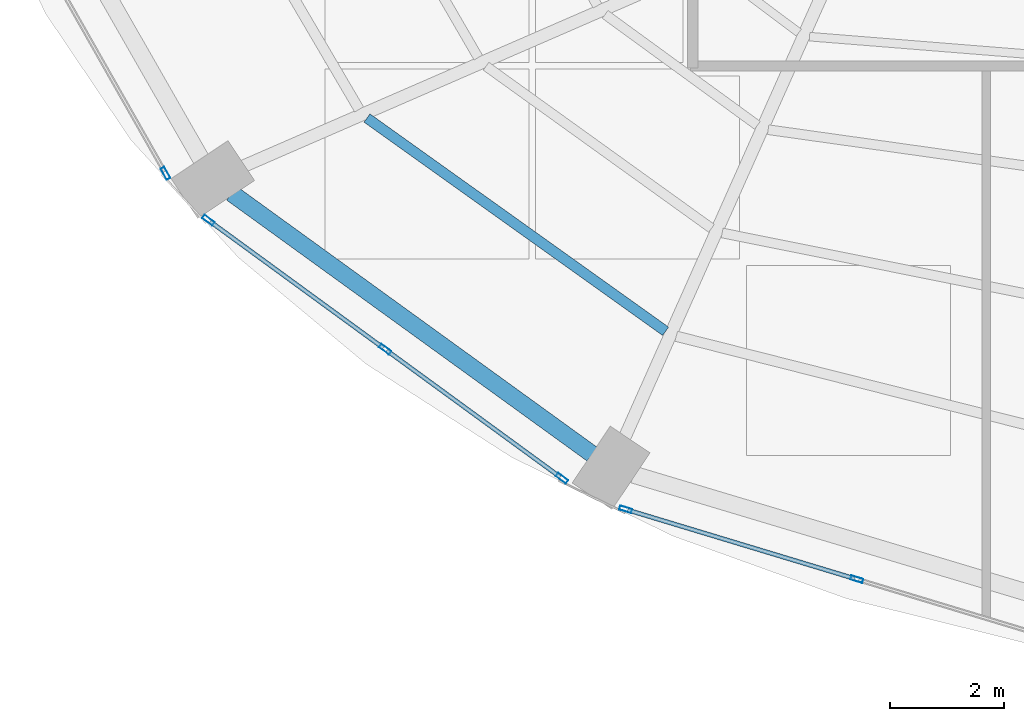
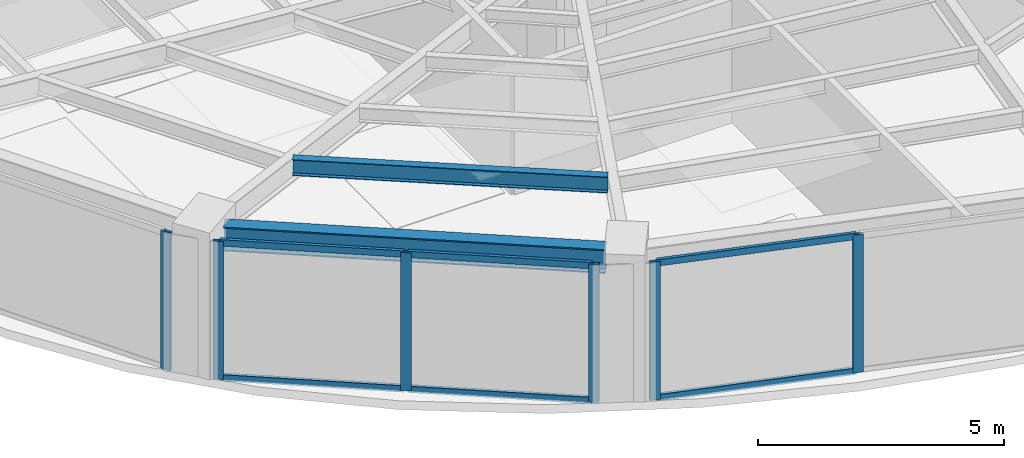
# One storey, part 2 of 23: 12 members, 2 beams, 3 elements without a shape of their own.
"""IFC4 building model written with IfcOpenShell, lengths in metres."""

from ifc_helpers import new_model, si_unit, direction, frame, origin, origin_2d, place, context, subcontext, project, spatial, hollow_rectangle, i_section, extrude, material, layer, layer_set, material_profile, profile_set, type_object, element, aggregate, save


model = new_model("IFC4")

# Units and contexts
model_context = context("Model", 3, precision=1e-05, world=origin(), true_north=direction((0.0, 1.0)))
body_context = subcontext(model_context, "Body", "Model", "MODEL_VIEW")
ifc_project = project(units=[si_unit("LENGTHUNIT", "METRE"), si_unit("AREAUNIT", "SQUARE_METRE"), si_unit("VOLUMEUNIT", "CUBIC_METRE"), si_unit("PLANEANGLEUNIT", "RADIAN"), si_unit("MASSUNIT", "GRAM", prefix="KILO")], contexts=[model_context])

# Site, building, storey
site_placement = place(None, origin())
site = spatial("IfcSite", under=ifc_project, at=site_placement, CompositionType="ELEMENT")
building_placement = place(site_placement, origin())
building = spatial("IfcBuilding", under=site, at=building_placement, Name="Lazwardi Medical Tower", CompositionType="ELEMENT")
storey_placement = place(building_placement, frame((0.0, 0.0, 121.8720703125)))
storey = spatial("IfcBuildingStorey", under=building, at=storey_placement, Name="L31", CompositionType="ELEMENT", Elevation=121.8720703125)

# Beams
ifc_material_1 = material(Name="Steel S355", Category="steel")
ifc_material_profile_1 = material_profile(ifc_material_1, i_section(OverallWidth=0.300048828125, OverallDepth=0.60009765625, WebThickness=0.015380859375, FlangeThickness=0.030029296875, at=origin_2d()), Name="HEB 600")
ifc_profile_set_1 = profile_set([ifc_material_profile_1], Name="Steel S355")
beam_type_1 = type_object("IfcBeamType", Name="BM-RB-Z2", PredefinedType="BEAM", material=ifc_profile_set_1)
beam_1_placement = place(storey_placement, frame((15.25439453125, 15.164794921875, 3.1279296875), z_axis=(0.81005674773, -0.586351486275, 0.0), x_axis=(0.586351486275, 0.81005674773, 0.0)))
element("IfcBeam", 1, at=beam_1_placement, inside=storey, type_object=beam_type_1, Name="Ring beam RB-03 B14 L31", PredefinedType="BEAM", context=body_context, shape_type="SweptSolid", body=[
    extrude(i_section(OverallWidth=0.300048828125, OverallDepth=0.60009765625, WebThickness=0.015380859375, FlangeThickness=0.030029296875, at=origin_2d()), origin(), (0.0, 0.0, 1.0), 7.81396484375),
])
ifc_material_profile_2 = material_profile(ifc_material_1, i_section(OverallWidth=0.179931640625, OverallDepth=0.39990234375, WebThickness=0.008544921875, FlangeThickness=0.013427734375, at=origin_2d()), Name="IPE 400")
ifc_profile_set_2 = profile_set([ifc_material_profile_2], Name="Steel S355")
beam_type_2 = type_object("IfcBeamType", Name="BM-SJ-01", PredefinedType="JOIST", material=ifc_profile_set_2)
beam_2_placement = place(storey_placement, frame((17.630615234375, 16.485595703125, 3.22802734375), z_axis=(0.813748834317, -0.581216684763, 0.0), x_axis=(0.581216684763, 0.813748834317, 0.0)))
element("IfcBeam", 2, at=beam_2_placement, inside=storey, type_object=beam_type_2, Name="Secondary joist SJ-01 R1 B14 L31", PredefinedType="JOIST", context=body_context, shape_type="SweptSolid", body=[
    extrude(i_section(OverallWidth=0.179931640625, OverallDepth=0.39990234375, WebThickness=0.008544921875, FlangeThickness=0.013427734375, at=origin_2d()), origin(), (0.0, 0.0, 1.0), 6.4423828125),
])

# Curtain wall, member
ifc_material_2 = material(Name="Anodised bronze aluminium and solar control glazing", Category="aluminium")
ifc_layer = layer(ifc_material_2, 0.195068359375)
ifc_layer_set = layer_set([ifc_layer], Name="Anodised bronze aluminium and solar control glazing")
curtain_wall_type = type_object("IfcCurtainWallType", Name="CW-SYS-03", PredefinedType="NOTDEFINED", material=ifc_layer_set)
curtain_wall_1_placement = place(storey_placement, origin())
curtain_wall_1 = element("IfcCurtainWall", 3, at=curtain_wall_1_placement, inside=storey, type_object=curtain_wall_type, Name="L31 Unitised bronze curtain wall CW-03", PredefinedType="NOTDEFINED")
ifc_material_3 = material(Name="Anodised bronze aluminium", Category="aluminium")
ifc_material_profile_3 = material_profile(ifc_material_3, hollow_rectangle(XDim=0.074951171875, YDim=0.219970703125, WallThickness=0.00390625, at=origin_2d()), Name="ALU-MULLION 220x75x4")
ifc_profile_set_3 = profile_set([ifc_material_profile_3], Name="Anodised bronze aluminium")
member_type_1 = type_object("IfcMemberType", Name="CW-MUL-01", PredefinedType="MULLION", material=ifc_profile_set_3)
member_1_placement = place(storey_placement, frame((14.0927734375, 15.51416015625, 0.0), z_axis=(0.0, 0.0, 1.0), x_axis=(0.869687265712, 0.493603140041, 0.0)))
member_1 = element("IfcMember", 4, at=member_1_placement, type_object=member_type_1, Name="CW-03 mullion 2", PredefinedType="MULLION", context=body_context, shape_type="SweptSolid", body=[
    extrude(hollow_rectangle(XDim=0.074951171875, YDim=0.219970703125, WallThickness=0.00390625, at=origin_2d()), origin(), (0.0, 0.0, 1.0), 3.427978515625),
])
aggregate(curtain_wall_1, [member_1])

# Curtain wall, members
curtain_wall_2_placement = place(storey_placement, origin())
curtain_wall_2 = element("IfcCurtainWall", 5, at=curtain_wall_2_placement, inside=storey, type_object=curtain_wall_type, Name="L31 Unitised bronze curtain wall CW-03", PredefinedType="NOTDEFINED")
member_2_placement = place(storey_placement, frame((14.844970703125, 14.691162109375, 0.0), z_axis=(0.0, 0.0, 1.0), x_axis=(0.589530882802, 0.807745837639, 0.0)))
member_2 = element("IfcMember", 6, at=member_2_placement, type_object=member_type_1, Name="CW-03 mullion 1", PredefinedType="MULLION", context=body_context, shape_type="SweptSolid", body=[
    extrude(hollow_rectangle(XDim=0.074951171875, YDim=0.219970703125, WallThickness=0.00390625, at=origin_2d()), origin(), (0.0, 0.0, 1.0), 3.427978515625),
])
member_3_placement = place(storey_placement, frame((17.948974609375, 12.42578125, 0.0), z_axis=(0.0, 0.0, 1.0), x_axis=(0.589530882802, 0.807745837639, 0.0)))
member_3 = element("IfcMember", 7, at=member_3_placement, type_object=member_type_1, Name="CW-03 mullion 2", PredefinedType="MULLION", context=body_context, shape_type="SweptSolid", body=[
    extrude(hollow_rectangle(XDim=0.074951171875, YDim=0.219970703125, WallThickness=0.00390625, at=origin_2d()), origin(), (0.0, 0.0, 1.0), 3.427978515625),
])
member_4_placement = place(storey_placement, frame((21.052734375, 10.160400390625, 0.0), z_axis=(0.0, 0.0, 1.0), x_axis=(0.589530882802, 0.807745837639, 0.0)))
member_4 = element("IfcMember", 8, at=member_4_placement, type_object=member_type_1, Name="CW-03 mullion 3", PredefinedType="MULLION", context=body_context, shape_type="SweptSolid", body=[
    extrude(hollow_rectangle(XDim=0.074951171875, YDim=0.219970703125, WallThickness=0.00390625, at=origin_2d()), origin(), (0.0, 0.0, 1.0), 3.427978515625),
])

curtain_wall_3_placement = place(storey_placement, origin())
curtain_wall_3 = element("IfcCurtainWall", 9, at=curtain_wall_3_placement, inside=storey, type_object=curtain_wall_type, Name="L31 Unitised bronze curtain wall CW-03", PredefinedType="NOTDEFINED")
member_5_placement = place(storey_placement, frame((22.171630859375, 9.614013671875, 0.0), z_axis=(0.0, 0.0, 1.0), x_axis=(0.28937381157, 0.957216170558, 0.0)))
member_5 = element("IfcMember", 10, at=member_5_placement, type_object=member_type_1, Name="CW-03 mullion 1", PredefinedType="MULLION", context=body_context, shape_type="SweptSolid", body=[
    extrude(hollow_rectangle(XDim=0.074951171875, YDim=0.219970703125, WallThickness=0.00390625, at=origin_2d()), origin(), (0.0, 0.0, 1.0), 3.427978515625),
])
member_6_placement = place(storey_placement, frame((26.230712890625, 8.386962890625, 0.0), z_axis=(0.0, 0.0, 1.0), x_axis=(0.28937381157, 0.957216170558, 0.0)))
member_6 = element("IfcMember", 11, at=member_6_placement, type_object=member_type_1, Name="CW-03 mullion 2", PredefinedType="MULLION", context=body_context, shape_type="SweptSolid", body=[
    extrude(hollow_rectangle(XDim=0.074951171875, YDim=0.219970703125, WallThickness=0.00390625, at=origin_2d()), origin(), (0.0, 0.0, 1.0), 3.427978515625),
])

# Member
ifc_material_profile_4 = material_profile(ifc_material_3, hollow_rectangle(XDim=0.074951171875, YDim=0.159912109375, WallThickness=0.00390625, at=origin_2d()), Name="ALU-TRANSOM 160x75x4")
ifc_profile_set_4 = profile_set([ifc_material_profile_4], Name="Anodised bronze aluminium")
member_type_2 = type_object("IfcMemberType", Name="CW-TRN-01", PredefinedType="USERDEFINED", material=ifc_profile_set_4)
member_7_placement = place(storey_placement, frame((14.87548828125, 14.6689453125, 0.037353515625), z_axis=(0.807731734271, -0.589550206049, 0.0), x_axis=(0.589550206049, 0.807731734271, 0.0)))
member_7 = element("IfcMember", 12, at=member_7_placement, type_object=member_type_2, Name="CW-03 transom 1.1", ObjectType="TRANSOM", PredefinedType="USERDEFINED", context=body_context, shape_type="SweptSolid", body=[
    extrude(hollow_rectangle(XDim=0.074951171875, YDim=0.159912109375, WallThickness=0.00390625, at=origin_2d()), origin(), (0.0, 0.0, 1.0), 3.767578125),
])

member_8_placement = place(storey_placement, frame((14.87548828125, 14.6689453125, 3.390380859375), z_axis=(0.807731734271, -0.589550206049, 0.0), x_axis=(0.589550206049, 0.807731734271, 0.0)))
member_8 = element("IfcMember", 13, at=member_8_placement, type_object=member_type_2, Name="CW-03 transom 1.2", ObjectType="TRANSOM", PredefinedType="USERDEFINED", context=body_context, shape_type="SweptSolid", body=[
    extrude(hollow_rectangle(XDim=0.074951171875, YDim=0.159912109375, WallThickness=0.00390625, at=origin_2d()), origin(), (0.0, 0.0, 1.0), 3.767578125),
])

member_9_placement = place(storey_placement, frame((17.979248046875, 12.403564453125, 0.037353515625), z_axis=(0.80776259199, -0.58950792614, 0.0), x_axis=(0.58950792614, 0.80776259199, 0.0)))
member_9 = element("IfcMember", 14, at=member_9_placement, type_object=member_type_2, Name="CW-03 transom 2.1", ObjectType="TRANSOM", PredefinedType="USERDEFINED", context=body_context, shape_type="SweptSolid", body=[
    extrude(hollow_rectangle(XDim=0.074951171875, YDim=0.159912109375, WallThickness=0.00390625, at=origin_2d()), origin(), (0.0, 0.0, 1.0), 3.767578125),
])

member_10_placement = place(storey_placement, frame((17.979248046875, 12.403564453125, 3.390380859375), z_axis=(0.80776259199, -0.58950792614, 0.0), x_axis=(0.58950792614, 0.80776259199, 0.0)))
member_10 = element("IfcMember", 15, at=member_10_placement, type_object=member_type_2, Name="CW-03 transom 2.2", ObjectType="TRANSOM", PredefinedType="USERDEFINED", context=body_context, shape_type="SweptSolid", body=[
    extrude(hollow_rectangle(XDim=0.074951171875, YDim=0.159912109375, WallThickness=0.00390625, at=origin_2d()), origin(), (0.0, 0.0, 1.0), 3.767578125),
])

aggregate(curtain_wall_2, [member_2, member_3, member_4, member_7, member_8, member_9, member_10])

member_11_placement = place(storey_placement, frame((22.20751953125, 9.603271484375, 0.037353515625), z_axis=(0.957204630929, -0.289411980623, 0.0), x_axis=(0.289411980623, 0.957204630929, 0.0)))
member_11 = element("IfcMember", 16, at=member_11_placement, type_object=member_type_2, Name="CW-03 transom 1.1", ObjectType="TRANSOM", PredefinedType="USERDEFINED", context=body_context, shape_type="SweptSolid", body=[
    extrude(hollow_rectangle(XDim=0.074951171875, YDim=0.159912109375, WallThickness=0.00390625, at=origin_2d()), origin(), (0.0, 0.0, 1.0), 4.16552734375),
])

member_12_placement = place(storey_placement, frame((22.20751953125, 9.603271484375, 3.390380859375), z_axis=(0.957204630929, -0.289411980623, 0.0), x_axis=(0.289411980623, 0.957204630929, 0.0)))
member_12 = element("IfcMember", 17, at=member_12_placement, type_object=member_type_2, Name="CW-03 transom 1.2", ObjectType="TRANSOM", PredefinedType="USERDEFINED", context=body_context, shape_type="SweptSolid", body=[
    extrude(hollow_rectangle(XDim=0.074951171875, YDim=0.159912109375, WallThickness=0.00390625, at=origin_2d()), origin(), (0.0, 0.0, 1.0), 4.16552734375),
])

aggregate(curtain_wall_3, [member_5, member_6, member_11, member_12])

save(model, "model.ifc")
